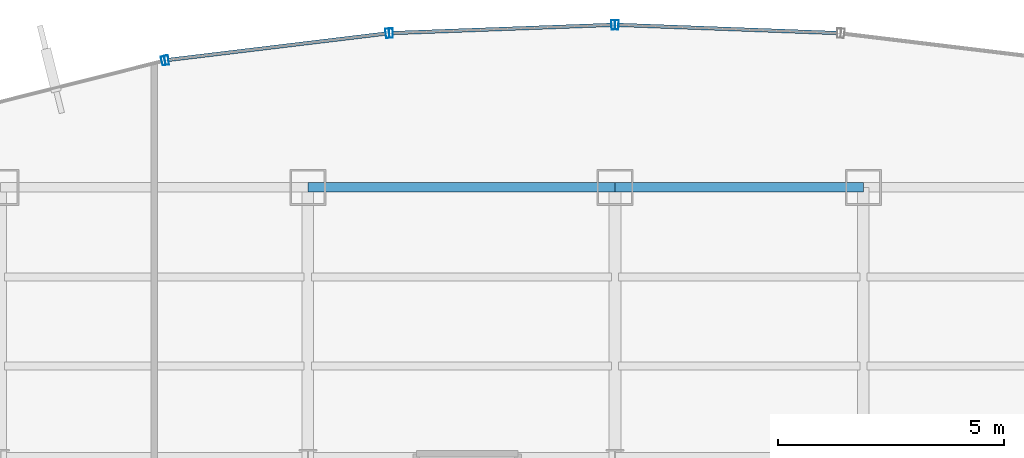
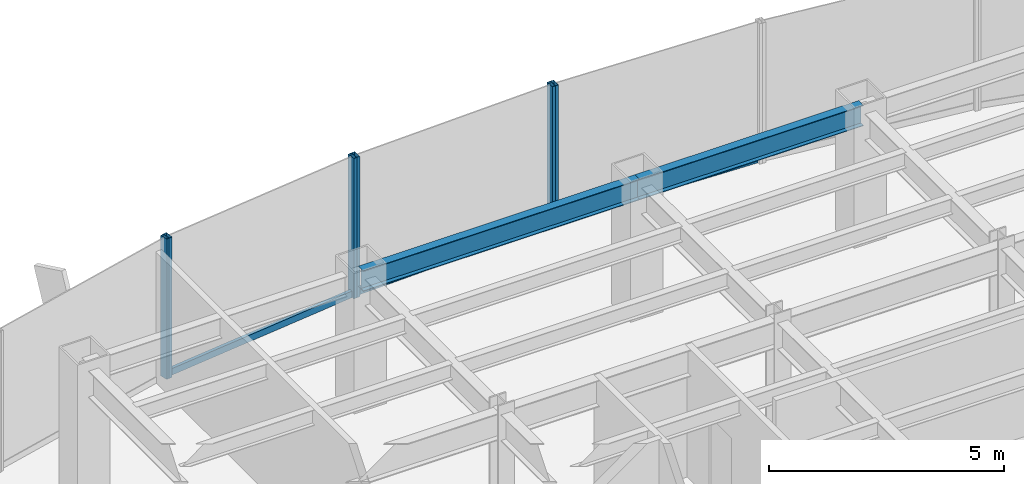
# One storey, part 16 of 26: 9 members, 2 beams, 4 elements without a shape of their own.
"""IFC4 building model written with IfcOpenShell, lengths in metres."""

from ifc_helpers import new_model, si_unit, derived_unit, direction, frame, origin, origin_2d, place, context, subcontext, project, spatial, hollow_rectangle, i_section, extrude, source, transform, mapped, material, material_profile, profile_set, type_object, element, aggregate, save


model = new_model("IFC4")

# Units and contexts
model_context = context("Model", 3, precision=1e-05, world=origin(), true_north=direction((0.0, 1.0)))
body_context = subcontext(model_context, "Body", "Model", "MODEL_VIEW")
ifc_project = project(units=[si_unit("LENGTHUNIT", "METRE"), si_unit("AREAUNIT", "SQUARE_METRE"), si_unit("VOLUMEUNIT", "CUBIC_METRE"), si_unit("PLANEANGLEUNIT", "RADIAN"), si_unit("MASSUNIT", "GRAM", prefix="KILO"), derived_unit("THERMALTRANSMITTANCEUNIT", [(si_unit("POWERUNIT", "WATT"), 1), (si_unit("LENGTHUNIT", "METRE"), -2), (si_unit("THERMODYNAMICTEMPERATUREUNIT", "KELVIN"), -1)])], contexts=[model_context])

# Site, building, storey
site_placement = place(None, origin())
site = spatial("IfcSite", under=ifc_project, at=site_placement, CompositionType="ELEMENT")
building_placement = place(site_placement, origin())
building = spatial("IfcBuilding", under=site, at=building_placement, Name="Skarnbrae Concourse Arena and Tower", CompositionType="ELEMENT")
storey_placement = place(building_placement, frame((0.0, 0.0, 114.199951171875)))
storey = spatial("IfcBuildingStorey", under=building, at=storey_placement, Name="L28", CompositionType="ELEMENT", Elevation=114.199951171875)

# Beams
ifc_material_1 = material(Name="Steel CSA G40.21 350W", Category="steel")
ifc_material_profile_1 = material_profile(ifc_material_1, i_section(OverallWidth=0.208984375, OverallDepth=0.532958984375, WebThickness=0.01025390625, FlangeThickness=0.015625, at=origin_2d()), Name="W530X92")
ifc_profile_set_1 = profile_set([ifc_material_profile_1], Name="Steel CSA G40.21 350W")
beam_type = type_object("IfcBeamType", Name="BM-SPAN-W530X92", PredefinedType="SPANDREL", material=ifc_profile_set_1)
shared_shape_1 = source(origin(), body_context, "Body", "SweptSolid", [
    extrude(i_section(OverallWidth=0.208984375, OverallDepth=0.532958984375, WebThickness=0.01025390625, FlangeThickness=0.015625, at=origin_2d()), origin(), (0.0, 0.0, 1.0), 6.800048828125),
])
beam_1_placement = place(storey_placement, frame((21.199951171875, 40.39990234375, 3.133544921875), z_axis=(1.0, 0.0, 0.0), x_axis=(0.0, 1.0, 0.0)))
element("IfcBeam", 1, at=beam_1_placement, inside=storey, type_object=beam_type, Name="L28 Perimeter spandrel Y40.4-2", PredefinedType="SPANDREL", context=body_context, shape_type="MappedRepresentation", body=[
    mapped(shared_shape_1, transform((0.0, 0.0, 0.0))),
])
shared_shape_2 = source(origin(), body_context, "Body", "SweptSolid", [
    extrude(i_section(OverallWidth=0.208984375, OverallDepth=0.532958984375, WebThickness=0.01025390625, FlangeThickness=0.015625, at=origin_2d()), origin(), (0.0, 0.0, 1.0), 5.5),
])
beam_2_placement = place(storey_placement, frame((28.0, 40.39990234375, 3.133544921875), z_axis=(1.0, 0.0, 0.0), x_axis=(0.0, 1.0, 0.0)))
element("IfcBeam", 2, at=beam_2_placement, inside=storey, type_object=beam_type, Name="L28 Perimeter spandrel Y40.4-3", PredefinedType="SPANDREL", context=body_context, shape_type="MappedRepresentation", body=[
    mapped(shared_shape_2, transform((0.0, 0.0, 0.0))),
])

# Curtain wall, member
ifc_material_2 = material(Name="Bronze anodised aluminium 6063-T6", Category="aluminium")
curtain_wall_type_1 = type_object("IfcCurtainWallType", Name="CW-SYS-03-PORTAL", PredefinedType="USERDEFINED", material=ifc_material_2)
curtain_wall_1_placement = place(storey_placement, origin())
curtain_wall_1 = element("IfcCurtainWall", 3, at=curtain_wall_1_placement, inside=storey, type_object=curtain_wall_type_1, Name="L28 Unitised curtain wall CW-L28-E11", ObjectType="UNITISED CURTAIN WALL", PredefinedType="USERDEFINED")
ifc_material_profile_2 = material_profile(ifc_material_2, hollow_rectangle(XDim=0.080078125, YDim=0.2099609375, WallThickness=0.00439453125, at=origin_2d()), Name="ALU-MULL-80X210")
ifc_profile_set_2 = profile_set([ifc_material_profile_2], Name="Bronze anodised aluminium 6063-T6")
member_type_1 = type_object("IfcMemberType", Name="CWM-CW-03", PredefinedType="MULLION", material=ifc_profile_set_2)
shared_shape_3 = source(origin(), body_context, "Body", "SweptSolid", [
    extrude(hollow_rectangle(XDim=0.080078125, YDim=0.2099609375, WallThickness=0.00439453125, at=origin_2d()), origin(), (0.0, 0.0, 1.0), 3.650146484375),
])
member_1_placement = place(storey_placement, frame((28.0400390625, 43.99853515625, 0.0), z_axis=(0.0, 0.0, 1.0), x_axis=(-0.999308486252, 0.037182647889, 0.0)))
member_1 = element("IfcMember", 4, at=member_1_placement, type_object=member_type_1, Name="CW-L28-E11 Mullion 2", PredefinedType="MULLION", context=body_context, shape_type="MappedRepresentation", body=[
    mapped(shared_shape_3, transform((0.0, 0.0, 0.0))),
])

# Curtain wall, members
curtain_wall_2_placement = place(storey_placement, origin())
curtain_wall_2 = element("IfcCurtainWall", 5, at=curtain_wall_2_placement, inside=storey, type_object=curtain_wall_type_1, Name="L28 Unitised curtain wall CW-L28-E12", ObjectType="UNITISED CURTAIN WALL", PredefinedType="USERDEFINED")
member_2_placement = place(storey_placement, frame((27.9599609375, 43.99853515625, 0.0), z_axis=(0.0, 0.0, 1.0), x_axis=(-0.999308486252, -0.037182647889, 0.0)))
member_2 = element("IfcMember", 6, at=member_2_placement, type_object=member_type_1, Name="CW-L28-E12 Mullion 1", PredefinedType="MULLION", context=body_context, shape_type="MappedRepresentation", body=[
    mapped(shared_shape_3, transform((0.0, 0.0, 0.0))),
])
member_3_placement = place(storey_placement, frame((23.041015625, 43.8154296875, 0.0), z_axis=(0.0, 0.0, 1.0), x_axis=(-0.999308486252, -0.037182647889, 0.0)))
member_3 = element("IfcMember", 7, at=member_3_placement, type_object=member_type_1, Name="CW-L28-E12 Mullion 2", PredefinedType="MULLION", context=body_context, shape_type="MappedRepresentation", body=[
    mapped(shared_shape_3, transform((0.0, 0.0, 0.0))),
])

curtain_wall_3_placement = place(storey_placement, origin())
curtain_wall_3 = element("IfcCurtainWall", 8, at=curtain_wall_3_placement, inside=storey, type_object=curtain_wall_type_1, Name="L28 Unitised curtain wall CW-L28-E13", ObjectType="UNITISED CURTAIN WALL", PredefinedType="USERDEFINED")
member_4_placement = place(storey_placement, frame((22.96142578125, 43.80908203125, 0.0), z_axis=(0.0, 0.0, 1.0), x_axis=(-0.992749371969, -0.120202680731, 0.0)))
member_4 = element("IfcMember", 9, at=member_4_placement, type_object=member_type_1, Name="CW-L28-E13 Mullion 1", PredefinedType="MULLION", context=body_context, shape_type="MappedRepresentation", body=[
    mapped(shared_shape_3, transform((0.0, 0.0, 0.0))),
])
member_5_placement = place(storey_placement, frame((18.075439453125, 43.217529296875, 0.0), z_axis=(0.0, 0.0, 1.0), x_axis=(-0.992749371969, -0.120202680731, 0.0)))
member_5 = element("IfcMember", 10, at=member_5_placement, type_object=member_type_1, Name="CW-L28-E13 Mullion 2", PredefinedType="MULLION", context=body_context, shape_type="MappedRepresentation", body=[
    mapped(shared_shape_3, transform((0.0, 0.0, 0.0))),
])

# Curtain wall, member
curtain_wall_type_2 = type_object("IfcCurtainWallType", Name="CW-SYS-04-MIDZONE", PredefinedType="USERDEFINED", material=ifc_material_2)
curtain_wall_4_placement = place(storey_placement, origin())
curtain_wall_4 = element("IfcCurtainWall", 11, at=curtain_wall_4_placement, inside=storey, type_object=curtain_wall_type_2, Name="L28 Unitised curtain wall CW-L28-E14", ObjectType="UNITISED CURTAIN WALL", PredefinedType="USERDEFINED")
ifc_material_profile_3 = material_profile(ifc_material_2, hollow_rectangle(XDim=0.074951171875, YDim=0.195068359375, WallThickness=0.00439453125, at=origin_2d()), Name="ALU-MULL-75X195")
ifc_profile_set_3 = profile_set([ifc_material_profile_3], Name="Bronze anodised aluminium 6063-T6")
member_type_2 = type_object("IfcMemberType", Name="CWM-CW-04", PredefinedType="MULLION", material=ifc_profile_set_3)
shared_shape_4 = source(origin(), body_context, "Body", "SweptSolid", [
    extrude(hollow_rectangle(XDim=0.074951171875, YDim=0.195068359375, WallThickness=0.00439453125, at=origin_2d()), origin(), (0.0, 0.0, 1.0), 3.650146484375),
])
member_6_placement = place(storey_placement, frame((17.99951171875, 43.20361328125, 0.0), z_axis=(0.0, 0.0, 1.0), x_axis=(-0.969903046166, -0.243491439351, 0.0)))
member_6 = element("IfcMember", 12, at=member_6_placement, type_object=member_type_2, Name="CW-L28-E14 Mullion 1", PredefinedType="MULLION", context=body_context, shape_type="MappedRepresentation", body=[
    mapped(shared_shape_4, transform((0.0, 0.0, 0.0))),
])
aggregate(curtain_wall_4, [member_6])

# Member
ifc_material_profile_4 = material_profile(ifc_material_2, hollow_rectangle(XDim=0.080078125, YDim=0.169921875, WallThickness=0.00439453125, at=origin_2d()), Name="ALU-TRAN-80X170")
ifc_profile_set_4 = profile_set([ifc_material_profile_4], Name="Bronze anodised aluminium 6063-T6")
member_type_3 = type_object("IfcMemberType", Name="CWT-CW-03", PredefinedType="USERDEFINED", material=ifc_profile_set_4)
shared_shape_5 = source(origin(), body_context, "Body", "SweptSolid", [
    extrude(hollow_rectangle(XDim=0.080078125, YDim=0.169921875, WallThickness=0.00439453125, at=origin_2d()), origin(), (0.0, 0.0, 1.0), 4.841552734375),
])
member_7_placement = place(storey_placement, frame((22.921630859375, 43.804443359375, 0.0849609375), z_axis=(-0.992747648444, -0.120216914405, 0.0), x_axis=(0.120216914405, -0.992747648444, 0.0)))
member_7 = element("IfcMember", 13, at=member_7_placement, type_object=member_type_3, Name="CW-L28-E13 Transom 1", ObjectType="TRANSOM", PredefinedType="USERDEFINED", context=body_context, shape_type="MappedRepresentation", body=[
    mapped(shared_shape_5, transform((0.0, 0.0, 0.0))),
])

aggregate(curtain_wall_3, [member_4, member_5, member_7])

shared_shape_6 = source(origin(), body_context, "Body", "SweptSolid", [
    extrude(hollow_rectangle(XDim=0.080078125, YDim=0.169921875, WallThickness=0.00439453125, at=origin_2d()), origin(), (0.0, 0.0, 1.0), 4.842529296875),
])
member_8_placement = place(storey_placement, frame((32.9189453125, 43.81689453125, 0.0849609375), z_axis=(-0.999307562882, 0.0372074558, 0.0), x_axis=(-0.0372074558, -0.999307562882, 0.0)))
member_8 = element("IfcMember", 14, at=member_8_placement, type_object=member_type_3, Name="CW-L28-E11 Transom 1", ObjectType="TRANSOM", PredefinedType="USERDEFINED", context=body_context, shape_type="MappedRepresentation", body=[
    mapped(shared_shape_6, transform((0.0, 0.0, 0.0))),
])

aggregate(curtain_wall_1, [member_1, member_8])

member_9_placement = place(storey_placement, frame((27.920166015625, 43.9970703125, 0.0849609375), z_axis=(-0.999307562882, -0.0372074558, 0.0), x_axis=(0.0372074558, -0.999307562882, 0.0)))
member_9 = element("IfcMember", 15, at=member_9_placement, type_object=member_type_3, Name="CW-L28-E12 Transom 1", ObjectType="TRANSOM", PredefinedType="USERDEFINED", context=body_context, shape_type="MappedRepresentation", body=[
    mapped(shared_shape_6, transform((0.0, 0.0, 0.0))),
])

aggregate(curtain_wall_2, [member_2, member_3, member_9])

save(model, "model.ifc")
